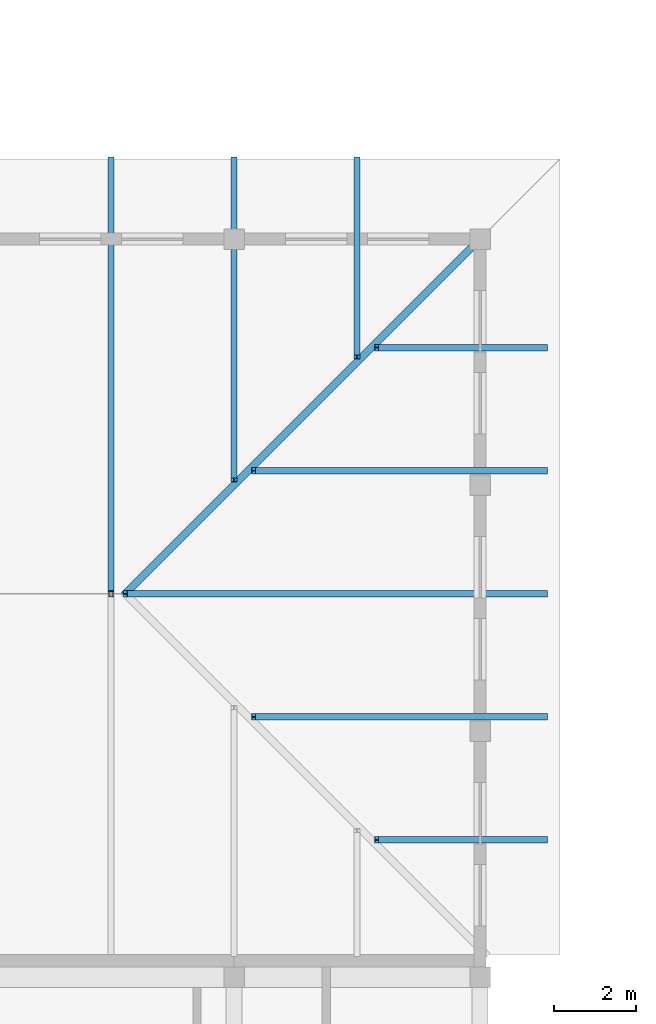
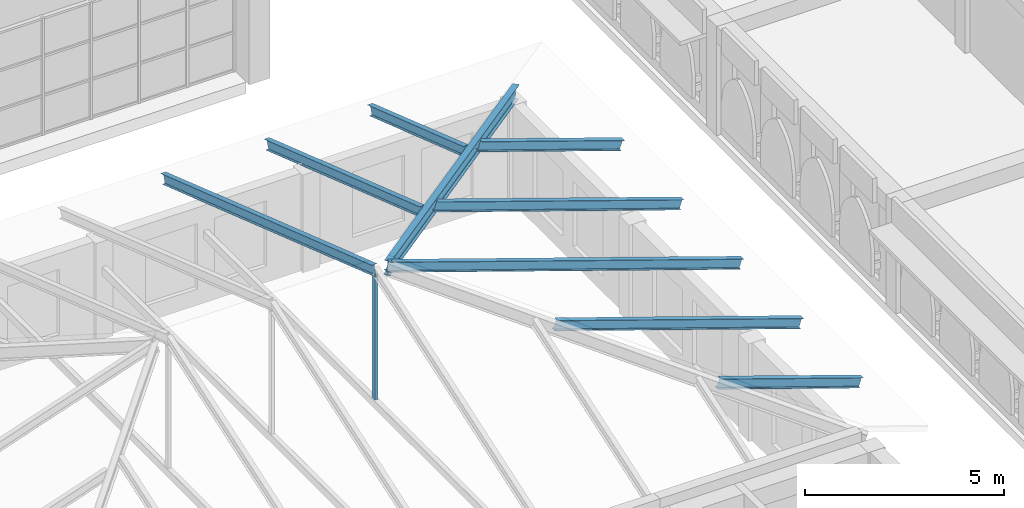
# One storey, part 11 of 82: 10 members.
"""IFC4 building model written with IfcOpenShell, lengths in metres."""

from ifc_helpers import new_model, si_unit, direction, frame, origin, origin_2d, place, context, subcontext, project, spatial, hollow_rectangle, i_section, extrude, material, material_profile, profile_set, type_object, element, save


model = new_model("IFC4")

# Units and contexts
model_context = context("Model", 3, precision=1e-05, world=origin(), true_north=direction((0.0, 1.0)))
body_context = subcontext(model_context, "Body", "Model", "MODEL_VIEW")
ifc_project = project(units=[si_unit("LENGTHUNIT", "METRE"), si_unit("AREAUNIT", "SQUARE_METRE"), si_unit("VOLUMEUNIT", "CUBIC_METRE"), si_unit("PLANEANGLEUNIT", "RADIAN"), si_unit("MASSUNIT", "GRAM", prefix="KILO")], contexts=[model_context])

# Site, building, storey
site_placement = place(None, origin())
site = spatial("IfcSite", under=ifc_project, at=site_placement, CompositionType="ELEMENT")
building_placement = place(site_placement, origin())
building = spatial("IfcBuilding", under=site, at=building_placement, Name="Elbe Cascade School", CompositionType="ELEMENT")
storey_placement = place(building_placement, frame((0.0, 0.0, 4.5)))
storey = spatial("IfcBuildingStorey", under=building, at=storey_placement, Name="L01", CompositionType="ELEMENT", Elevation=4.5)

# Members
ifc_material_1 = material(Name="Steel S355J2", Category="steel")
ifc_material_profile_1 = material_profile(ifc_material_1, i_section(OverallWidth=0.179931640625, OverallDepth=0.39990234375, WebThickness=0.008544921875, FlangeThickness=0.013427734375, FilletRadius=0.02099609375, at=origin_2d()), Name="IPE 400")
ifc_profile_set_1 = profile_set([ifc_material_profile_1], Name="Steel S355J2")
member_type_1 = type_object("IfcMemberType", Name="Dining hip rafter IPE 400", PredefinedType="RAFTER", material=ifc_profile_set_1)
member_1_placement = place(storey_placement, frame((63.14990234375, 33.14990234375, 3.08642578125), z_axis=(-0.687415254114, -0.687415254114, 0.234351310691), x_axis=(0.707106781187, -0.707106781187, 0.0)))
element("IfcMember", 1, at=member_1_placement, inside=storey, type_object=member_type_1, Name="Dining hip rafter IPE 400 M19", PredefinedType="RAFTER", context=body_context, shape_type="SweptSolid", body=[
    extrude(i_section(OverallWidth=0.179931640625, OverallDepth=0.39990234375, WebThickness=0.008544921875, FlangeThickness=0.013427734375, FilletRadius=0.02099609375, at=origin_2d()), origin(), (0.0, 0.0, 1.0), 12.80126953125),
])
ifc_material_2 = material(Name="Steel S355J2", Category="steel")
ifc_material_profile_2 = material_profile(ifc_material_2, i_section(OverallWidth=0.14990234375, OverallDepth=0.300048828125, WebThickness=0.007080078125, FlangeThickness=0.0107421875, FilletRadius=0.014892578125, at=origin_2d()), Name="IPE 300")
ifc_profile_set_2 = profile_set([ifc_material_profile_2], Name="Steel S355J2")
member_type_2 = type_object("IfcMemberType", Name="Dining roof rafter IPE 300", PredefinedType="RAFTER", material=ifc_profile_set_2)
member_2_placement = place(storey_placement, frame((54.0, 34.949951171875, 2.53759765625), z_axis=(0.0, -0.946505194467, 0.322688575638), x_axis=(1.0, 0.0, 0.0)))
element("IfcMember", 2, at=member_2_placement, inside=storey, type_object=member_type_2, Name="Dining roof rafter IPE 300 M18", PredefinedType="RAFTER", context=body_context, shape_type="SweptSolid", body=[
    extrude(i_section(OverallWidth=0.14990234375, OverallDepth=0.300048828125, WebThickness=0.007080078125, FlangeThickness=0.0107421875, FilletRadius=0.014892578125, at=origin_2d()), origin(), (0.0, 0.0, 1.0), 11.198974609375),
])
member_3_placement = place(storey_placement, frame((57.0, 34.949951171875, 2.53759765625), z_axis=(0.0, -0.946504856995, 0.322689565502), x_axis=(1.0, 0.0, 0.0)))
element("IfcMember", 3, at=member_3_placement, inside=storey, type_object=member_type_2, Name="Dining roof rafter IPE 300 M18", PredefinedType="RAFTER", context=body_context, shape_type="SweptSolid", body=[
    extrude(i_section(OverallWidth=0.14990234375, OverallDepth=0.300048828125, WebThickness=0.007080078125, FlangeThickness=0.0107421875, FilletRadius=0.014892578125, at=origin_2d()), origin(), (0.0, 0.0, 1.0), 8.264892578125),
])
member_4_placement = place(storey_placement, frame((60.0, 34.949951171875, 2.53759765625), z_axis=(0.0, -0.946500210188, 0.32270319508), x_axis=(1.0, 0.0, 0.0)))
element("IfcMember", 4, at=member_4_placement, inside=storey, type_object=member_type_2, Name="Dining roof rafter IPE 300 M18", PredefinedType="RAFTER", context=body_context, shape_type="SweptSolid", body=[
    extrude(i_section(OverallWidth=0.14990234375, OverallDepth=0.300048828125, WebThickness=0.007080078125, FlangeThickness=0.0107421875, FilletRadius=0.014892578125, at=origin_2d()), origin(), (0.0, 0.0, 1.0), 5.095458984375),
])
member_5_placement = place(storey_placement, frame((64.60009765625, 18.35009765625, 2.656982421875), z_axis=(-0.946509021013, 0.0, 0.322677351452), x_axis=(0.0, -1.0, 0.0)))
element("IfcMember", 5, at=member_5_placement, inside=storey, type_object=member_type_2, Name="Dining roof rafter IPE 300 M18", PredefinedType="RAFTER", context=body_context, shape_type="SweptSolid", body=[
    extrude(i_section(OverallWidth=0.14990234375, OverallDepth=0.300048828125, WebThickness=0.007080078125, FlangeThickness=0.0107421875, FilletRadius=0.014892578125, at=origin_2d()), origin(), (0.0, 0.0, 1.0), 4.355712890625),
])
member_6_placement = place(storey_placement, frame((64.60009765625, 21.35009765625, 2.656982421875), z_axis=(-0.946510413369, 0.0, 0.322673267228), x_axis=(0.0, -1.0, 0.0)))
element("IfcMember", 6, at=member_6_placement, inside=storey, type_object=member_type_2, Name="Dining roof rafter IPE 300 M18", PredefinedType="RAFTER", context=body_context, shape_type="SweptSolid", body=[
    extrude(i_section(OverallWidth=0.14990234375, OverallDepth=0.300048828125, WebThickness=0.007080078125, FlangeThickness=0.0107421875, FilletRadius=0.014892578125, at=origin_2d()), origin(), (0.0, 0.0, 1.0), 7.525390625),
])
member_7_placement = place(storey_placement, frame((64.60009765625, 24.35009765625, 2.656982421875), z_axis=(-0.946508310324, 0.0, 0.32267943611), x_axis=(0.0, -1.0, 0.0)))
element("IfcMember", 7, at=member_7_placement, inside=storey, type_object=member_type_2, Name="Dining roof rafter IPE 300 M18", PredefinedType="RAFTER", context=body_context, shape_type="SweptSolid", body=[
    extrude(i_section(OverallWidth=0.14990234375, OverallDepth=0.300048828125, WebThickness=0.007080078125, FlangeThickness=0.0107421875, FilletRadius=0.014892578125, at=origin_2d()), origin(), (0.0, 0.0, 1.0), 10.829345703125),
])
member_8_placement = place(storey_placement, frame((64.60009765625, 27.35009765625, 2.656982421875), z_axis=(-0.946510413369, 0.0, 0.322673267228), x_axis=(0.0, -1.0, 0.0)))
element("IfcMember", 8, at=member_8_placement, inside=storey, type_object=member_type_2, Name="Dining roof rafter IPE 300 M18", PredefinedType="RAFTER", context=body_context, shape_type="SweptSolid", body=[
    extrude(i_section(OverallWidth=0.14990234375, OverallDepth=0.300048828125, WebThickness=0.007080078125, FlangeThickness=0.0107421875, FilletRadius=0.014892578125, at=origin_2d()), origin(), (0.0, 0.0, 1.0), 7.525390625),
])
member_9_placement = place(storey_placement, frame((64.60009765625, 30.35009765625, 2.656982421875), z_axis=(-0.946509021013, 0.0, 0.322677351452), x_axis=(0.0, -1.0, 0.0)))
element("IfcMember", 9, at=member_9_placement, inside=storey, type_object=member_type_2, Name="Dining roof rafter IPE 300 M18", PredefinedType="RAFTER", context=body_context, shape_type="SweptSolid", body=[
    extrude(i_section(OverallWidth=0.14990234375, OverallDepth=0.300048828125, WebThickness=0.007080078125, FlangeThickness=0.0107421875, FilletRadius=0.014892578125, at=origin_2d()), origin(), (0.0, 0.0, 1.0), 4.355712890625),
])
ifc_material_3 = material(Name="Steel S355J2H", Category="steel")
ifc_material_profile_3 = material_profile(ifc_material_3, hollow_rectangle(XDim=0.10009765625, YDim=0.14990234375, WallThickness=0.008056640625, InnerFilletRadius=0.008056640625, OuterFilletRadius=0.011962890625, at=origin_2d()), Name="RHS 150x100x8")
ifc_profile_set_3 = profile_set([ifc_material_profile_3], Name="Steel S355J2H")
member_type_3 = type_object("IfcMemberType", Name="Dining truss post RHS 150x100x8", PredefinedType="POST", material=ifc_profile_set_3)
member_10_placement = place(storey_placement, frame((54.0, 24.35009765625, 2.218017578125), z_axis=(0.0, 0.0, 1.0), x_axis=(1.0, 0.0, 0.0)))
element("IfcMember", 10, at=member_10_placement, inside=storey, type_object=member_type_3, Name="Dining truss post RHS 150x100x8 M22", PredefinedType="POST", context=body_context, shape_type="SweptSolid", body=[
    extrude(hollow_rectangle(XDim=0.10009765625, YDim=0.14990234375, WallThickness=0.008056640625, InnerFilletRadius=0.008056640625, OuterFilletRadius=0.011962890625, at=origin_2d()), origin(), (0.0, 0.0, 1.0), 3.783447265625),
])

save(model, "model.ifc")
